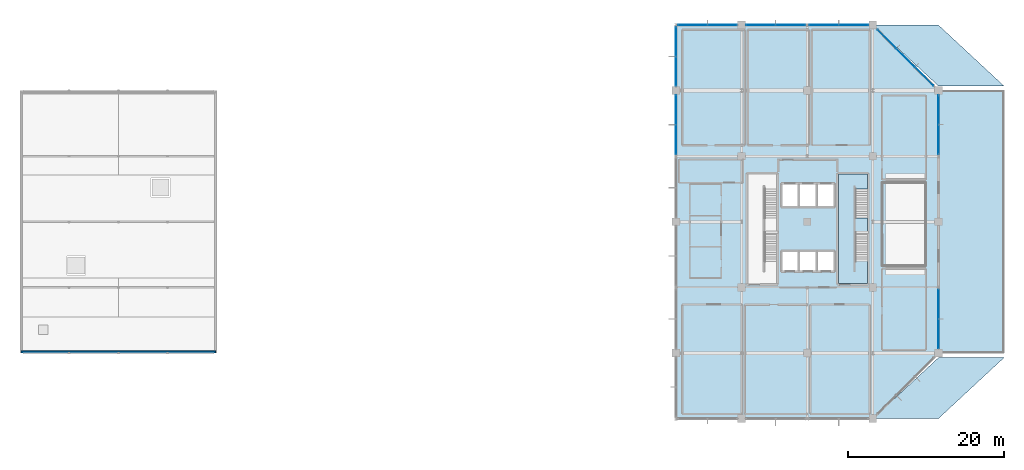
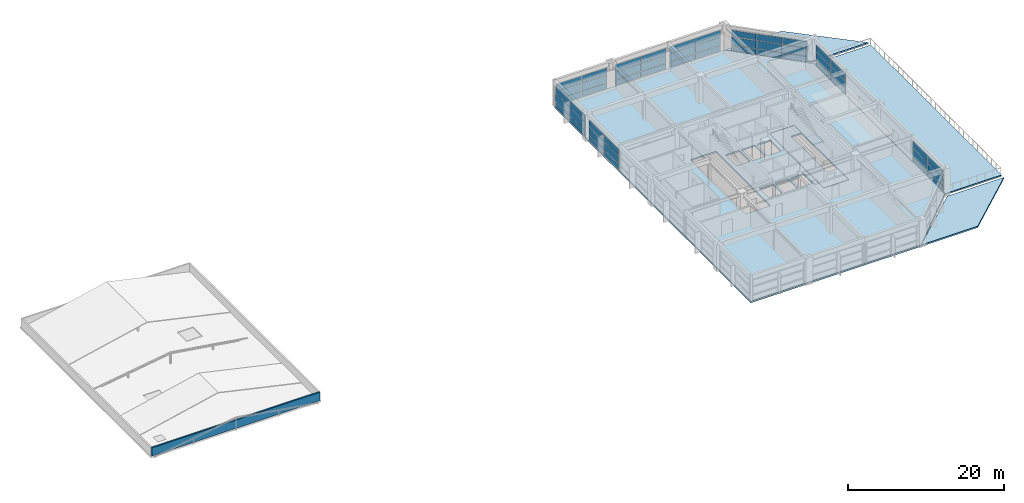
# One storey, part 15 of 21: 51 plates, 6 slabs, 1 wall, 9 elements without a shape of their own.
"""IFC4 building model written with IfcOpenShell, lengths in metres."""

from ifc_helpers import new_model, si_unit, direction, frame, frame_2d, origin, origin_2d, place, context, subcontext, project, spatial, polyline, rectangle, outline, extrude, material, layer, layer_set, type_object, element, aggregate, save


model = new_model("IFC4")

# Units and contexts
model_context = context("Model", 3, precision=1e-05, world=origin(), true_north=direction((0.0, 1.0)))
body_context = subcontext(model_context, "Body", "Model", "MODEL_VIEW")
ifc_project = project(units=[si_unit("LENGTHUNIT", "METRE"), si_unit("AREAUNIT", "SQUARE_METRE"), si_unit("VOLUMEUNIT", "CUBIC_METRE"), si_unit("PLANEANGLEUNIT", "RADIAN"), si_unit("MASSUNIT", "GRAM", prefix="KILO")], contexts=[model_context])

# Site, building, storey
site_placement = place(None, origin())
site = spatial("IfcSite", under=ifc_project, at=site_placement, CompositionType="ELEMENT")
building_placement = place(site_placement, origin())
building = spatial("IfcBuilding", under=site, at=building_placement, Name="Xuanlan Plaza Opera House", CompositionType="ELEMENT")
storey_placement = place(building_placement, frame((0.0, 0.0, 44.699951171875)))
storey = spatial("IfcBuildingStorey", under=building, at=storey_placement, Name="L10", CompositionType="ELEMENT", Elevation=44.699951171875)

# Curtain wall, plates
ifc_material_1 = material(Name="Anodised Aluminium 6063-T6 and Low-E Glass", Category="aluminium")
curtain_wall_type_1 = type_object("IfcCurtainWallType", Name="ENV-CW-CW-04", PredefinedType="USERDEFINED", material=ifc_material_1)
curtain_wall_1_placement = place(storey_placement, origin())
curtain_wall_1 = element("IfcCurtainWall", 1, at=curtain_wall_1_placement, inside=storey, type_object=curtain_wall_type_1, Name="Unitised Curtain Wall L10-008", ObjectType="UNITISED CURTAIN WALL", PredefinedType="USERDEFINED")
ifc_material_2 = material(Name="Laminated Acoustic Double Glazing", Category="glass")
ifc_layer_1 = layer(ifc_material_2, 0.028076171875)
ifc_layer_set_1 = layer_set([ifc_layer_1], Name="Laminated Acoustic Double Glazing")
plate_type_1 = type_object("IfcPlateType", Name="ENV-CWP-01", PredefinedType="CURTAIN_PANEL", material=ifc_layer_set_1)
plate_1_placement = place(storey_placement, frame((159.60009765625, 69.3388671875, 0.0751953125), z_axis=(0.0, 0.0, 1.0), x_axis=(0.0, 1.0, 0.0)))
plate_1 = element("IfcPlate", 2, at=plate_1_placement, type_object=plate_type_1, Name="CW-04 panel 1.1", PredefinedType="CURTAIN_PANEL", context=body_context, shape_type="SweptSolid", body=[
    extrude(rectangle(XDim=3.70751953125, YDim=0.028076171875, at=origin_2d()), origin(), (0.0, 0.0, 1.0), 0.83740234375),
])
plate_2_placement = place(storey_placement, frame((159.60009765625, 69.3388671875, 0.987548828125), z_axis=(0.0, 0.0, 1.0), x_axis=(0.0, 1.0, 0.0)))
plate_2 = element("IfcPlate", 3, at=plate_2_placement, type_object=plate_type_1, Name="CW-04 panel 1.2", PredefinedType="CURTAIN_PANEL", context=body_context, shape_type="SweptSolid", body=[
    extrude(rectangle(XDim=3.70751953125, YDim=0.028076171875, at=origin_2d()), origin(), (0.0, 0.0, 1.0), 1.22509765625),
])
plate_3_placement = place(storey_placement, frame((159.60009765625, 69.3388671875, 2.28759765625), z_axis=(0.0, 0.0, 1.0), x_axis=(0.0, 1.0, 0.0)))
plate_3 = element("IfcPlate", 4, at=plate_3_placement, type_object=plate_type_1, Name="CW-04 panel 1.3", PredefinedType="CURTAIN_PANEL", context=body_context, shape_type="SweptSolid", body=[
    extrude(rectangle(XDim=3.70751953125, YDim=0.028076171875, at=origin_2d()), origin(), (0.0, 0.0, 1.0), 1.017578125),
])
plate_4_placement = place(storey_placement, frame((159.60009765625, 73.13623046875, 0.0751953125), z_axis=(0.0, 0.0, 1.0), x_axis=(0.0, 1.0, 0.0)))
plate_4 = element("IfcPlate", 5, at=plate_4_placement, type_object=plate_type_1, Name="CW-04 panel 2.1", PredefinedType="CURTAIN_PANEL", context=body_context, shape_type="SweptSolid", body=[
    extrude(rectangle(XDim=3.70751953125, YDim=0.028076171875, at=origin_2d()), origin(), (0.0, 0.0, 1.0), 0.83740234375),
])
plate_5_placement = place(storey_placement, frame((159.60009765625, 73.13623046875, 0.987548828125), z_axis=(0.0, 0.0, 1.0), x_axis=(0.0, 1.0, 0.0)))
plate_5 = element("IfcPlate", 6, at=plate_5_placement, type_object=plate_type_1, Name="CW-04 panel 2.2", PredefinedType="CURTAIN_PANEL", context=body_context, shape_type="SweptSolid", body=[
    extrude(rectangle(XDim=3.70751953125, YDim=0.028076171875, at=origin_2d()), origin(), (0.0, 0.0, 1.0), 1.22509765625),
])
plate_6_placement = place(storey_placement, frame((159.60009765625, 73.13623046875, 2.28759765625), z_axis=(0.0, 0.0, 1.0), x_axis=(0.0, 1.0, 0.0)))
plate_6 = element("IfcPlate", 7, at=plate_6_placement, type_object=plate_type_1, Name="CW-04 panel 2.3", PredefinedType="CURTAIN_PANEL", context=body_context, shape_type="SweptSolid", body=[
    extrude(rectangle(XDim=3.70751953125, YDim=0.028076171875, at=origin_2d()), origin(), (0.0, 0.0, 1.0), 1.017578125),
])
aggregate(curtain_wall_1, [plate_1, plate_2, plate_3, plate_4, plate_5, plate_6])

curtain_wall_type_2 = type_object("IfcCurtainWallType", Name="ENV-CW-CW-01", PredefinedType="USERDEFINED", material=ifc_material_1)
curtain_wall_2_placement = place(storey_placement, origin())
curtain_wall_2 = element("IfcCurtainWall", 8, at=curtain_wall_2_placement, inside=storey, type_object=curtain_wall_type_2, Name="Unitised Curtain Wall L10-013", ObjectType="UNITISED CURTAIN WALL", PredefinedType="USERDEFINED")
plate_7_placement = place(storey_placement, frame((126.0, 81.861328125, 0.0751953125), z_axis=(0.0, 0.0, 1.0), x_axis=(0.0, -1.0, 0.0)))
plate_7 = element("IfcPlate", 9, at=plate_7_placement, type_object=plate_type_1, Name="CW-01 panel 1.1", PredefinedType="CURTAIN_PANEL", context=body_context, shape_type="SweptSolid", body=[
    extrude(rectangle(XDim=3.70751953125, YDim=0.028076171875, at=origin_2d()), origin(), (0.0, 0.0, 1.0), 0.83740234375),
])
plate_8_placement = place(storey_placement, frame((126.0, 81.861328125, 0.987548828125), z_axis=(0.0, 0.0, 1.0), x_axis=(0.0, -1.0, 0.0)))
plate_8 = element("IfcPlate", 10, at=plate_8_placement, type_object=plate_type_1, Name="CW-01 panel 1.2", PredefinedType="CURTAIN_PANEL", context=body_context, shape_type="SweptSolid", body=[
    extrude(rectangle(XDim=3.70751953125, YDim=0.028076171875, at=origin_2d()), origin(), (0.0, 0.0, 1.0), 1.22509765625),
])
plate_9_placement = place(storey_placement, frame((126.0, 81.861328125, 2.28759765625), z_axis=(0.0, 0.0, 1.0), x_axis=(0.0, -1.0, 0.0)))
plate_9 = element("IfcPlate", 11, at=plate_9_placement, type_object=plate_type_1, Name="CW-01 panel 1.3", PredefinedType="CURTAIN_PANEL", context=body_context, shape_type="SweptSolid", body=[
    extrude(rectangle(XDim=3.70751953125, YDim=0.028076171875, at=origin_2d()), origin(), (0.0, 0.0, 1.0), 1.017578125),
])
plate_10_placement = place(storey_placement, frame((126.0, 78.063720703125, 0.0751953125), z_axis=(0.0, 0.0, 1.0), x_axis=(0.0, -1.0, 0.0)))
plate_10 = element("IfcPlate", 12, at=plate_10_placement, type_object=plate_type_1, Name="CW-01 panel 2.1", PredefinedType="CURTAIN_PANEL", context=body_context, shape_type="SweptSolid", body=[
    extrude(rectangle(XDim=3.70751953125, YDim=0.028076171875, at=origin_2d()), origin(), (0.0, 0.0, 1.0), 0.83740234375),
])
plate_11_placement = place(storey_placement, frame((126.0, 78.063720703125, 0.987548828125), z_axis=(0.0, 0.0, 1.0), x_axis=(0.0, -1.0, 0.0)))
plate_11 = element("IfcPlate", 13, at=plate_11_placement, type_object=plate_type_1, Name="CW-01 panel 2.2", PredefinedType="CURTAIN_PANEL", context=body_context, shape_type="SweptSolid", body=[
    extrude(rectangle(XDim=3.70751953125, YDim=0.028076171875, at=origin_2d()), origin(), (0.0, 0.0, 1.0), 1.22509765625),
])
plate_12_placement = place(storey_placement, frame((126.0, 78.063720703125, 2.28759765625), z_axis=(0.0, 0.0, 1.0), x_axis=(0.0, -1.0, 0.0)))
plate_12 = element("IfcPlate", 14, at=plate_12_placement, type_object=plate_type_1, Name="CW-01 panel 2.3", PredefinedType="CURTAIN_PANEL", context=body_context, shape_type="SweptSolid", body=[
    extrude(rectangle(XDim=3.70751953125, YDim=0.028076171875, at=origin_2d()), origin(), (0.0, 0.0, 1.0), 1.017578125),
])
aggregate(curtain_wall_2, [plate_7, plate_8, plate_9, plate_10, plate_11, plate_12])

curtain_wall_3_placement = place(storey_placement, origin())
curtain_wall_3 = element("IfcCurtainWall", 15, at=curtain_wall_3_placement, inside=storey, type_object=curtain_wall_type_2, Name="Unitised Curtain Wall L10-005", ObjectType="UNITISED CURTAIN WALL", PredefinedType="USERDEFINED")
ifc_layer_2 = layer(ifc_material_2, 0.031982421875)
ifc_layer_set_2 = layer_set([ifc_layer_2], Name="Laminated Acoustic Double Glazing")
plate_type_2 = type_object("IfcPlateType", Name="ENV-CWP-02", PredefinedType="CURTAIN_PANEL", material=ifc_layer_set_2)
plate_13_placement = place(storey_placement, frame((159.60009765625, 44.458740234375, 0.06982421875), z_axis=(0.0, 0.0, 1.0), x_axis=(0.0, 1.0, 0.0)))
plate_13 = element("IfcPlate", 16, at=plate_13_placement, type_object=plate_type_2, Name="CW-01 panel 1.1", PredefinedType="CURTAIN_PANEL", context=body_context, shape_type="SweptSolid", body=[
    extrude(rectangle(XDim=3.737548828125, YDim=0.031982421875, at=origin_2d()), origin(), (0.0, 0.0, 1.0), 0.844970703125),
])
plate_14_placement = place(storey_placement, frame((159.60009765625, 44.458740234375, 0.985107421875), z_axis=(0.0, 0.0, 1.0), x_axis=(0.0, 1.0, 0.0)))
plate_14 = element("IfcPlate", 17, at=plate_14_placement, type_object=plate_type_2, Name="CW-01 panel 1.2", PredefinedType="CURTAIN_PANEL", context=body_context, shape_type="SweptSolid", body=[
    extrude(rectangle(XDim=3.737548828125, YDim=0.031982421875, at=origin_2d()), origin(), (0.0, 0.0, 1.0), 1.22998046875),
])
plate_15_placement = place(storey_placement, frame((159.60009765625, 44.458740234375, 2.28515625), z_axis=(0.0, 0.0, 1.0), x_axis=(0.0, 1.0, 0.0)))
plate_15 = element("IfcPlate", 18, at=plate_15_placement, type_object=plate_type_2, Name="CW-01 panel 1.3", PredefinedType="CURTAIN_PANEL", context=body_context, shape_type="SweptSolid", body=[
    extrude(rectangle(XDim=3.737548828125, YDim=0.031982421875, at=origin_2d()), origin(), (0.0, 0.0, 1.0), 1.02490234375),
])
plate_16_placement = place(storey_placement, frame((159.60009765625, 48.266357421875, 0.06982421875), z_axis=(0.0, 0.0, 1.0), x_axis=(0.0, 1.0, 0.0)))
plate_16 = element("IfcPlate", 19, at=plate_16_placement, type_object=plate_type_2, Name="CW-01 panel 2.1", PredefinedType="CURTAIN_PANEL", context=body_context, shape_type="SweptSolid", body=[
    extrude(rectangle(XDim=3.737548828125, YDim=0.031982421875, at=origin_2d()), origin(), (0.0, 0.0, 1.0), 0.844970703125),
])
plate_17_placement = place(storey_placement, frame((159.60009765625, 48.266357421875, 0.985107421875), z_axis=(0.0, 0.0, 1.0), x_axis=(0.0, 1.0, 0.0)))
plate_17 = element("IfcPlate", 20, at=plate_17_placement, type_object=plate_type_2, Name="CW-01 panel 2.2", PredefinedType="CURTAIN_PANEL", context=body_context, shape_type="SweptSolid", body=[
    extrude(rectangle(XDim=3.737548828125, YDim=0.031982421875, at=origin_2d()), origin(), (0.0, 0.0, 1.0), 1.22998046875),
])
plate_18_placement = place(storey_placement, frame((159.60009765625, 48.266357421875, 2.28515625), z_axis=(0.0, 0.0, 1.0), x_axis=(0.0, 1.0, 0.0)))
plate_18 = element("IfcPlate", 21, at=plate_18_placement, type_object=plate_type_2, Name="CW-01 panel 2.3", PredefinedType="CURTAIN_PANEL", context=body_context, shape_type="SweptSolid", body=[
    extrude(rectangle(XDim=3.737548828125, YDim=0.031982421875, at=origin_2d()), origin(), (0.0, 0.0, 1.0), 1.02490234375),
])
aggregate(curtain_wall_3, [plate_13, plate_14, plate_15, plate_16, plate_17, plate_18])

curtain_wall_type_3 = type_object("IfcCurtainWallType", Name="ENV-CW-CW-02", PredefinedType="USERDEFINED", material=ifc_material_1)
curtain_wall_4_placement = place(storey_placement, origin())
curtain_wall_4 = element("IfcCurtainWall", 22, at=curtain_wall_4_placement, inside=storey, type_object=curtain_wall_type_3, Name="Unitised Curtain Wall L10-010", ObjectType="UNITISED CURTAIN WALL", PredefinedType="USERDEFINED")
plate_19_placement = place(storey_placement, frame((148.7412109375, 84.0, 0.06982421875), z_axis=(0.0, 0.0, 1.0), x_axis=(-1.0, 0.0, 0.0)))
plate_19 = element("IfcPlate", 23, at=plate_19_placement, type_object=plate_type_2, Name="CW-02 panel 1.1", PredefinedType="CURTAIN_PANEL", context=body_context, shape_type="SweptSolid", body=[
    extrude(rectangle(XDim=3.737548828125, YDim=0.031982421875, at=origin_2d()), origin(), (0.0, 0.0, 1.0), 0.844970703125),
])
plate_20_placement = place(storey_placement, frame((148.7412109375, 84.0, 0.985107421875), z_axis=(0.0, 0.0, 1.0), x_axis=(-1.0, 0.0, 0.0)))
plate_20 = element("IfcPlate", 24, at=plate_20_placement, type_object=plate_type_2, Name="CW-02 panel 1.2", PredefinedType="CURTAIN_PANEL", context=body_context, shape_type="SweptSolid", body=[
    extrude(rectangle(XDim=3.737548828125, YDim=0.031982421875, at=origin_2d()), origin(), (0.0, 0.0, 1.0), 1.22998046875),
])
plate_21_placement = place(storey_placement, frame((148.7412109375, 84.0, 2.28515625), z_axis=(0.0, 0.0, 1.0), x_axis=(-1.0, 0.0, 0.0)))
plate_21 = element("IfcPlate", 25, at=plate_21_placement, type_object=plate_type_2, Name="CW-02 panel 1.3", PredefinedType="CURTAIN_PANEL", context=body_context, shape_type="SweptSolid", body=[
    extrude(rectangle(XDim=3.737548828125, YDim=0.031982421875, at=origin_2d()), origin(), (0.0, 0.0, 1.0), 1.02490234375),
])
plate_22_placement = place(storey_placement, frame((144.933837890625, 84.0, 0.06982421875), z_axis=(0.0, 0.0, 1.0), x_axis=(-1.0, 0.0, 0.0)))
plate_22 = element("IfcPlate", 26, at=plate_22_placement, type_object=plate_type_2, Name="CW-02 panel 2.1", PredefinedType="CURTAIN_PANEL", context=body_context, shape_type="SweptSolid", body=[
    extrude(rectangle(XDim=3.737548828125, YDim=0.031982421875, at=origin_2d()), origin(), (0.0, 0.0, 1.0), 0.844970703125),
])
plate_23_placement = place(storey_placement, frame((144.933837890625, 84.0, 0.985107421875), z_axis=(0.0, 0.0, 1.0), x_axis=(-1.0, 0.0, 0.0)))
plate_23 = element("IfcPlate", 27, at=plate_23_placement, type_object=plate_type_2, Name="CW-02 panel 2.2", PredefinedType="CURTAIN_PANEL", context=body_context, shape_type="SweptSolid", body=[
    extrude(rectangle(XDim=3.737548828125, YDim=0.031982421875, at=origin_2d()), origin(), (0.0, 0.0, 1.0), 1.22998046875),
])
plate_24_placement = place(storey_placement, frame((144.933837890625, 84.0, 2.28515625), z_axis=(0.0, 0.0, 1.0), x_axis=(-1.0, 0.0, 0.0)))
plate_24 = element("IfcPlate", 28, at=plate_24_placement, type_object=plate_type_2, Name="CW-02 panel 2.3", PredefinedType="CURTAIN_PANEL", context=body_context, shape_type="SweptSolid", body=[
    extrude(rectangle(XDim=3.737548828125, YDim=0.031982421875, at=origin_2d()), origin(), (0.0, 0.0, 1.0), 1.02490234375),
])
aggregate(curtain_wall_4, [plate_19, plate_20, plate_21, plate_22, plate_23, plate_24])

curtain_wall_5_placement = place(storey_placement, origin())
curtain_wall_5 = element("IfcCurtainWall", 29, at=curtain_wall_5_placement, inside=storey, type_object=curtain_wall_type_1, Name="Unitised Curtain Wall L10-012", ObjectType="UNITISED CURTAIN WALL", PredefinedType="USERDEFINED")
ifc_layer_3 = layer(ifc_material_2, 0.035888671875)
ifc_layer_set_3 = layer_set([ifc_layer_3], Name="Laminated Acoustic Double Glazing")
plate_type_3 = type_object("IfcPlateType", Name="ENV-CWP-03", PredefinedType="CURTAIN_PANEL", material=ifc_layer_set_3)
plate_25_placement = place(storey_placement, frame((131.938720703125, 84.0, 0.06494140625), z_axis=(0.0, 0.0, 1.0), x_axis=(-1.0, 0.0, 0.0)))
plate_25 = element("IfcPlate", 30, at=plate_25_placement, type_object=plate_type_3, Name="CW-04 panel 1.1", PredefinedType="CURTAIN_PANEL", context=body_context, shape_type="SweptSolid", body=[
    extrude(rectangle(XDim=3.722412109375, YDim=0.035888671875, at=origin_2d()), origin(), (0.0, 0.0, 1.0), 0.8525390625),
])
plate_26_placement = place(storey_placement, frame((131.938720703125, 84.0, 0.982421875), z_axis=(0.0, 0.0, 1.0), x_axis=(-1.0, 0.0, 0.0)))
plate_26 = element("IfcPlate", 31, at=plate_26_placement, type_object=plate_type_3, Name="CW-04 panel 1.2", PredefinedType="CURTAIN_PANEL", context=body_context, shape_type="SweptSolid", body=[
    extrude(rectangle(XDim=3.722412109375, YDim=0.035888671875, at=origin_2d()), origin(), (0.0, 0.0, 1.0), 1.235107421875),
])
plate_27_placement = place(storey_placement, frame((131.938720703125, 84.0, 2.28271484375), z_axis=(0.0, 0.0, 1.0), x_axis=(-1.0, 0.0, 0.0)))
plate_27 = element("IfcPlate", 32, at=plate_27_placement, type_object=plate_type_3, Name="CW-04 panel 1.3", PredefinedType="CURTAIN_PANEL", context=body_context, shape_type="SweptSolid", body=[
    extrude(rectangle(XDim=3.722412109375, YDim=0.035888671875, at=origin_2d()), origin(), (0.0, 0.0, 1.0), 1.032470703125),
])
plate_28_placement = place(storey_placement, frame((128.13623046875, 84.0, 0.06494140625), z_axis=(0.0, 0.0, 1.0), x_axis=(-1.0, 0.0, 0.0)))
plate_28 = element("IfcPlate", 33, at=plate_28_placement, type_object=plate_type_3, Name="CW-04 panel 2.1", PredefinedType="CURTAIN_PANEL", context=body_context, shape_type="SweptSolid", body=[
    extrude(rectangle(XDim=3.722412109375, YDim=0.035888671875, at=origin_2d()), origin(), (0.0, 0.0, 1.0), 0.8525390625),
])
plate_29_placement = place(storey_placement, frame((128.13623046875, 84.0, 0.982421875), z_axis=(0.0, 0.0, 1.0), x_axis=(-1.0, 0.0, 0.0)))
plate_29 = element("IfcPlate", 34, at=plate_29_placement, type_object=plate_type_3, Name="CW-04 panel 2.2", PredefinedType="CURTAIN_PANEL", context=body_context, shape_type="SweptSolid", body=[
    extrude(rectangle(XDim=3.722412109375, YDim=0.035888671875, at=origin_2d()), origin(), (0.0, 0.0, 1.0), 1.235107421875),
])
plate_30_placement = place(storey_placement, frame((128.13623046875, 84.0, 2.28271484375), z_axis=(0.0, 0.0, 1.0), x_axis=(-1.0, 0.0, 0.0)))
plate_30 = element("IfcPlate", 35, at=plate_30_placement, type_object=plate_type_3, Name="CW-04 panel 2.3", PredefinedType="CURTAIN_PANEL", context=body_context, shape_type="SweptSolid", body=[
    extrude(rectangle(XDim=3.722412109375, YDim=0.035888671875, at=origin_2d()), origin(), (0.0, 0.0, 1.0), 1.032470703125),
])
aggregate(curtain_wall_5, [plate_25, plate_26, plate_27, plate_28, plate_29, plate_30])

curtain_wall_6_placement = place(storey_placement, origin())
curtain_wall_6 = element("IfcCurtainWall", 36, at=curtain_wall_6_placement, inside=storey, type_object=curtain_wall_type_2, Name="Unitised Curtain Wall L10-009", ObjectType="UNITISED CURTAIN WALL", PredefinedType="USERDEFINED")
ifc_layer_4 = layer(ifc_material_2, 0.0400390625)
ifc_layer_set_4 = layer_set([ifc_layer_4], Name="Laminated Acoustic Double Glazing")
plate_type_4 = type_object("IfcPlateType", Name="ENV-CWP-04", PredefinedType="CURTAIN_PANEL", material=ifc_layer_set_4)
plate_31_placement = place(storey_placement, frame((157.7890625, 77.410888671875, 0.090087890625), z_axis=(0.0, 0.0, 1.0), x_axis=(-0.707106781187, 0.707106781187, 0.0)))
plate_31 = element("IfcPlate", 37, at=plate_31_placement, type_object=plate_type_4, Name="CW-01 panel 1.1", PredefinedType="CURTAIN_PANEL", context=body_context, shape_type="SweptSolid", body=[
    extrude(rectangle(XDim=3.297607421875, YDim=0.0400390625, at=origin_2d()), origin(), (0.0, 0.0, 1.0), 0.81494140625),
])
plate_32_placement = place(storey_placement, frame((157.7890625, 77.410888671875, 0.9951171875), z_axis=(0.0, 0.0, 1.0), x_axis=(-0.707106781187, 0.707106781187, 0.0)))
plate_32 = element("IfcPlate", 38, at=plate_32_placement, type_object=plate_type_4, Name="CW-01 panel 1.2", PredefinedType="CURTAIN_PANEL", context=body_context, shape_type="SweptSolid", body=[
    extrude(rectangle(XDim=3.297607421875, YDim=0.0400390625, at=origin_2d()), origin(), (0.0, 0.0, 1.0), 1.2099609375),
])
plate_33_placement = place(storey_placement, frame((157.7890625, 77.410888671875, 2.294921875), z_axis=(0.0, 0.0, 1.0), x_axis=(-0.707106781187, 0.707106781187, 0.0)))
plate_33 = element("IfcPlate", 39, at=plate_33_placement, type_object=plate_type_4, Name="CW-01 panel 1.3", PredefinedType="CURTAIN_PANEL", context=body_context, shape_type="SweptSolid", body=[
    extrude(rectangle(XDim=3.297607421875, YDim=0.0400390625, at=origin_2d()), origin(), (0.0, 0.0, 1.0), 0.9951171875),
])
plate_34_placement = place(storey_placement, frame((155.39990234375, 79.800048828125, 0.090087890625), z_axis=(0.0, 0.0, 1.0), x_axis=(-0.707106781187, 0.707106781187, 0.0)))
plate_34 = element("IfcPlate", 40, at=plate_34_placement, type_object=plate_type_4, Name="CW-01 panel 2.1", PredefinedType="CURTAIN_PANEL", context=body_context, shape_type="SweptSolid", body=[
    extrude(rectangle(XDim=3.330078125, YDim=0.0400390625, at=origin_2d()), origin(), (0.0, 0.0, 1.0), 0.81494140625),
])
plate_35_placement = place(storey_placement, frame((155.39990234375, 79.800048828125, 0.9951171875), z_axis=(0.0, 0.0, 1.0), x_axis=(-0.707106781187, 0.707106781187, 0.0)))
plate_35 = element("IfcPlate", 41, at=plate_35_placement, type_object=plate_type_4, Name="CW-01 panel 2.2", PredefinedType="CURTAIN_PANEL", context=body_context, shape_type="SweptSolid", body=[
    extrude(rectangle(XDim=3.330078125, YDim=0.0400390625, at=origin_2d()), origin(), (0.0, 0.0, 1.0), 1.2099609375),
])
plate_36_placement = place(storey_placement, frame((155.39990234375, 79.800048828125, 2.294921875), z_axis=(0.0, 0.0, 1.0), x_axis=(-0.707106781187, 0.707106781187, 0.0)))
plate_36 = element("IfcPlate", 42, at=plate_36_placement, type_object=plate_type_4, Name="CW-01 panel 2.3", PredefinedType="CURTAIN_PANEL", context=body_context, shape_type="SweptSolid", body=[
    extrude(rectangle(XDim=3.330078125, YDim=0.0400390625, at=origin_2d()), origin(), (0.0, 0.0, 1.0), 0.9951171875),
])
plate_37_placement = place(storey_placement, frame((153.0107421875, 82.189208984375, 0.090087890625), z_axis=(0.0, 0.0, 1.0), x_axis=(-0.707106781187, 0.707106781187, 0.0)))
plate_37 = element("IfcPlate", 43, at=plate_37_placement, type_object=plate_type_4, Name="CW-01 panel 3.1", PredefinedType="CURTAIN_PANEL", context=body_context, shape_type="SweptSolid", body=[
    extrude(rectangle(XDim=3.297607421875, YDim=0.0400390625, at=origin_2d()), origin(), (0.0, 0.0, 1.0), 0.81494140625),
])
plate_38_placement = place(storey_placement, frame((153.0107421875, 82.189208984375, 0.9951171875), z_axis=(0.0, 0.0, 1.0), x_axis=(-0.707106781187, 0.707106781187, 0.0)))
plate_38 = element("IfcPlate", 44, at=plate_38_placement, type_object=plate_type_4, Name="CW-01 panel 3.2", PredefinedType="CURTAIN_PANEL", context=body_context, shape_type="SweptSolid", body=[
    extrude(rectangle(XDim=3.297607421875, YDim=0.0400390625, at=origin_2d()), origin(), (0.0, 0.0, 1.0), 1.2099609375),
])
plate_39_placement = place(storey_placement, frame((153.0107421875, 82.189208984375, 2.294921875), z_axis=(0.0, 0.0, 1.0), x_axis=(-0.707106781187, 0.707106781187, 0.0)))
plate_39 = element("IfcPlate", 45, at=plate_39_placement, type_object=plate_type_4, Name="CW-01 panel 3.3", PredefinedType="CURTAIN_PANEL", context=body_context, shape_type="SweptSolid", body=[
    extrude(rectangle(XDim=3.297607421875, YDim=0.0400390625, at=origin_2d()), origin(), (0.0, 0.0, 1.0), 0.9951171875),
])
aggregate(curtain_wall_6, [plate_31, plate_32, plate_33, plate_34, plate_35, plate_36, plate_37, plate_38, plate_39])

curtain_wall_7_placement = place(storey_placement, origin())
curtain_wall_7 = element("IfcCurtainWall", 46, at=curtain_wall_7_placement, inside=storey, type_object=curtain_wall_type_3, Name="Unitised Curtain Wall L10-014", ObjectType="UNITISED CURTAIN WALL", PredefinedType="USERDEFINED")
plate_40_placement = place(storey_placement, frame((126.0, 73.142578125, 0.090087890625), z_axis=(0.0, 0.0, 1.0), x_axis=(0.0, -1.0, 0.0)))
plate_40 = element("IfcPlate", 47, at=plate_40_placement, type_object=plate_type_4, Name="CW-02 panel 1.1", PredefinedType="CURTAIN_PANEL", context=body_context, shape_type="SweptSolid", body=[
    extrude(rectangle(XDim=3.7451171875, YDim=0.0400390625, at=origin_2d()), origin(), (0.0, 0.0, 1.0), 0.81494140625),
])
plate_41_placement = place(storey_placement, frame((126.0, 73.142578125, 0.9951171875), z_axis=(0.0, 0.0, 1.0), x_axis=(0.0, -1.0, 0.0)))
plate_41 = element("IfcPlate", 48, at=plate_41_placement, type_object=plate_type_4, Name="CW-02 panel 1.2", PredefinedType="CURTAIN_PANEL", context=body_context, shape_type="SweptSolid", body=[
    extrude(rectangle(XDim=3.7451171875, YDim=0.0400390625, at=origin_2d()), origin(), (0.0, 0.0, 1.0), 1.2099609375),
])
plate_42_placement = place(storey_placement, frame((126.0, 73.142578125, 2.294921875), z_axis=(0.0, 0.0, 1.0), x_axis=(0.0, -1.0, 0.0)))
plate_42 = element("IfcPlate", 49, at=plate_42_placement, type_object=plate_type_4, Name="CW-02 panel 1.3", PredefinedType="CURTAIN_PANEL", context=body_context, shape_type="SweptSolid", body=[
    extrude(rectangle(XDim=3.7451171875, YDim=0.0400390625, at=origin_2d()), origin(), (0.0, 0.0, 1.0), 0.9951171875),
])
plate_43_placement = place(storey_placement, frame((126.0, 69.33251953125, 0.090087890625), z_axis=(0.0, 0.0, 1.0), x_axis=(0.0, -1.0, 0.0)))
plate_43 = element("IfcPlate", 50, at=plate_43_placement, type_object=plate_type_4, Name="CW-02 panel 2.1", PredefinedType="CURTAIN_PANEL", context=body_context, shape_type="SweptSolid", body=[
    extrude(rectangle(XDim=3.7451171875, YDim=0.0400390625, at=origin_2d()), origin(), (0.0, 0.0, 1.0), 0.81494140625),
])
plate_44_placement = place(storey_placement, frame((126.0, 69.33251953125, 0.9951171875), z_axis=(0.0, 0.0, 1.0), x_axis=(0.0, -1.0, 0.0)))
plate_44 = element("IfcPlate", 51, at=plate_44_placement, type_object=plate_type_4, Name="CW-02 panel 2.2", PredefinedType="CURTAIN_PANEL", context=body_context, shape_type="SweptSolid", body=[
    extrude(rectangle(XDim=3.7451171875, YDim=0.0400390625, at=origin_2d()), origin(), (0.0, 0.0, 1.0), 1.2099609375),
])
plate_45_placement = place(storey_placement, frame((126.0, 69.33251953125, 2.294921875), z_axis=(0.0, 0.0, 1.0), x_axis=(0.0, -1.0, 0.0)))
plate_45 = element("IfcPlate", 52, at=plate_45_placement, type_object=plate_type_4, Name="CW-02 panel 2.3", PredefinedType="CURTAIN_PANEL", context=body_context, shape_type="SweptSolid", body=[
    extrude(rectangle(XDim=3.7451171875, YDim=0.0400390625, at=origin_2d()), origin(), (0.0, 0.0, 1.0), 0.9951171875),
])
aggregate(curtain_wall_7, [plate_40, plate_41, plate_42, plate_43, plate_44, plate_45])

curtain_wall_type_4 = type_object("IfcCurtainWallType", Name="ENV-CW-CW-03", PredefinedType="USERDEFINED", material=ifc_material_1)
curtain_wall_8_placement = place(storey_placement, origin())
curtain_wall_8 = element("IfcCurtainWall", 53, at=curtain_wall_8_placement, inside=storey, type_object=curtain_wall_type_4, Name="Unitised Curtain Wall L10-011", ObjectType="UNITISED CURTAIN WALL", PredefinedType="USERDEFINED")
ifc_layer_5 = layer(ifc_material_2, 0.0439453125)
ifc_layer_set_5 = layer_set([ifc_layer_5], Name="Laminated Acoustic Double Glazing")
plate_type_5 = type_object("IfcPlateType", Name="ENV-CWP-05", PredefinedType="CURTAIN_PANEL", material=ifc_layer_set_5)
plate_46_placement = place(storey_placement, frame((140.6650390625, 84.0, 0.080078125), z_axis=(0.0, 0.0, 1.0), x_axis=(-1.0, 0.0, 0.0)))
plate_46 = element("IfcPlate", 54, at=plate_46_placement, type_object=plate_type_5, Name="CW-03 panel 1.1", PredefinedType="CURTAIN_PANEL", context=body_context, shape_type="SweptSolid", body=[
    extrude(rectangle(XDim=3.72998046875, YDim=0.0439453125, at=origin_2d()), origin(), (0.0, 0.0, 1.0), 0.830078125),
])
plate_47_placement = place(storey_placement, frame((140.6650390625, 84.0, 0.990234375), z_axis=(0.0, 0.0, 1.0), x_axis=(-1.0, 0.0, 0.0)))
plate_47 = element("IfcPlate", 55, at=plate_47_placement, type_object=plate_type_5, Name="CW-03 panel 1.2", PredefinedType="CURTAIN_PANEL", context=body_context, shape_type="SweptSolid", body=[
    extrude(rectangle(XDim=3.72998046875, YDim=0.0439453125, at=origin_2d()), origin(), (0.0, 0.0, 1.0), 1.219970703125),
])
plate_48_placement = place(storey_placement, frame((140.6650390625, 84.0, 2.2900390625), z_axis=(0.0, 0.0, 1.0), x_axis=(-1.0, 0.0, 0.0)))
plate_48 = element("IfcPlate", 56, at=plate_48_placement, type_object=plate_type_5, Name="CW-03 panel 1.3", PredefinedType="CURTAIN_PANEL", context=body_context, shape_type="SweptSolid", body=[
    extrude(rectangle(XDim=3.72998046875, YDim=0.0439453125, at=origin_2d()), origin(), (0.0, 0.0, 1.0), 1.010009765625),
])
plate_49_placement = place(storey_placement, frame((136.860107421875, 84.0, 0.080078125), z_axis=(0.0, 0.0, 1.0), x_axis=(-1.0, 0.0, 0.0)))
plate_49 = element("IfcPlate", 57, at=plate_49_placement, type_object=plate_type_5, Name="CW-03 panel 2.1", PredefinedType="CURTAIN_PANEL", context=body_context, shape_type="SweptSolid", body=[
    extrude(rectangle(XDim=3.72998046875, YDim=0.0439453125, at=origin_2d()), origin(), (0.0, 0.0, 1.0), 0.830078125),
])
plate_50_placement = place(storey_placement, frame((136.860107421875, 84.0, 0.990234375), z_axis=(0.0, 0.0, 1.0), x_axis=(-1.0, 0.0, 0.0)))
plate_50 = element("IfcPlate", 58, at=plate_50_placement, type_object=plate_type_5, Name="CW-03 panel 2.2", PredefinedType="CURTAIN_PANEL", context=body_context, shape_type="SweptSolid", body=[
    extrude(rectangle(XDim=3.72998046875, YDim=0.0439453125, at=origin_2d()), origin(), (0.0, 0.0, 1.0), 1.219970703125),
])
plate_51_placement = place(storey_placement, frame((136.860107421875, 84.0, 2.2900390625), z_axis=(0.0, 0.0, 1.0), x_axis=(-1.0, 0.0, 0.0)))
plate_51 = element("IfcPlate", 59, at=plate_51_placement, type_object=plate_type_5, Name="CW-03 panel 2.3", PredefinedType="CURTAIN_PANEL", context=body_context, shape_type="SweptSolid", body=[
    extrude(rectangle(XDim=3.72998046875, YDim=0.0439453125, at=origin_2d()), origin(), (0.0, 0.0, 1.0), 1.010009765625),
])
aggregate(curtain_wall_8, [plate_46, plate_47, plate_48, plate_49, plate_50, plate_51])

# Stair, slabs
ifc_material_3 = material(Name="Concrete C40", Category="concrete")
stair_type = type_object("IfcStairType", Name="INT-ST-STR-T155", PredefinedType="STRAIGHT_RUN_STAIR", material=ifc_material_3)
stair_placement = place(storey_placement, origin())
stair = element("IfcStair", 60, at=stair_placement, inside=storey, type_object=stair_type, Name="Protected Exit Stair ST-T2 L10", PredefinedType="STRAIGHT_RUN_STAIR")
ifc_layer_6 = layer(ifc_material_3, 0.199951171875)
ifc_layer_set_6 = layer_set([ifc_layer_6], Name="Concrete C40")
slab_type_1 = type_object("IfcSlabType", Name="INT-SLB-LND-20", PredefinedType="LANDING", material=ifc_layer_set_6)
slab_1_placement = place(storey_placement, frame((0.0, 0.0, 1.900146484375)))
slab_1 = element("IfcSlab", 61, at=slab_1_placement, type_object=slab_type_1, Name="ST-T2-L10 landing 1", PredefinedType="LANDING", context=body_context, shape_type="SweptSolid", body=[
    extrude(outline(polyline([(148.949951171875, 57.419921875), (150.5, 57.419921875), (150.5, 59.320068359375), (148.949951171875, 59.320068359375), (148.949951171875, 57.419921875)])), origin(), (0.0, 0.0, 1.0), 0.199951171875),
])
slab_2_placement = place(storey_placement, frame((0.0, 0.0, -0.199951171875)))
slab_2 = element("IfcSlab", 62, at=slab_2_placement, type_object=slab_type_1, Name="ST-T2-L10 landing 2", PredefinedType="LANDING", context=body_context, shape_type="SweptSolid", body=[
    extrude(outline(polyline([(146.800048828125, 50.89990234375), (150.5, 50.89990234375), (150.5, 53.764892578125), (148.949951171875, 53.764892578125), (148.949951171875, 62.97509765625), (150.5, 62.97509765625), (150.5, 64.89990234375), (146.800048828125, 64.89990234375), (146.800048828125, 50.89990234375)])), origin(), (0.0, 0.0, 1.0), 0.199951171875),
])
aggregate(stair, [slab_1, slab_2])

# Slabs
ifc_layer_7 = layer(ifc_material_3, 0.22998046875)
ifc_layer_set_7 = layer_set([ifc_layer_7], Name="Concrete C40")
slab_type_2 = type_object("IfcSlabType", Name="STR-SLB-RF-03", PredefinedType="ROOF", material=ifc_layer_set_7)
slab_3_placement = place(storey_placement, frame((0.0, 0.0, -0.22998046875)))
element("IfcSlab", 63, at=slab_3_placement, inside=storey, type_object=slab_type_2, Name="Tower L10 South-East Chamfer Setback Roof Slab", PredefinedType="ROOF", context=body_context, shape_type="SweptSolid", body=[
    extrude(outline(polyline([(151.199951171875, 33.60009765625), (159.60009765625, 33.60009765625), (168.0, 41.39990234375), (159.60009765625, 41.39990234375), (151.199951171875, 33.60009765625)])), origin(), (0.0, 0.0, 1.0), 0.22998046875),
])
slab_4_placement = place(storey_placement, frame((0.0, 0.0, -0.22998046875)))
element("IfcSlab", 64, at=slab_4_placement, inside=storey, type_object=slab_type_2, Name="Tower L10 North-East Chamfer Setback Roof Slab", PredefinedType="ROOF", context=body_context, shape_type="SweptSolid", body=[
    extrude(outline(polyline([(159.60009765625, 76.199951171875), (168.0, 76.199951171875), (159.60009765625, 84.0), (151.199951171875, 84.0), (159.60009765625, 76.199951171875)])), origin(), (0.0, 0.0, 1.0), 0.22998046875),
])
ifc_layer_8 = layer(ifc_material_3, 0.239990234375)
ifc_layer_set_8 = layer_set([ifc_layer_8], Name="Concrete C40")
slab_type_3 = type_object("IfcSlabType", Name="STR-SLB-SL-03", PredefinedType="FLOOR", material=ifc_layer_set_8)
slab_5_placement = place(storey_placement, frame((0.0, 0.0, -0.239990234375)))
element("IfcSlab", 65, at=slab_5_placement, inside=storey, type_object=slab_type_3, Name="Storey L10 Structural Floor Slab", PredefinedType="FLOOR", context=body_context, shape_type="SweptSolid", body=[
    extrude(outline(polyline([(126.0, 33.60009765625), (151.199951171875, 33.60009765625), (159.60009765625, 42.0), (159.60009765625, 75.60009765625), (151.199951171875, 84.0), (126.0, 84.0), (126.0, 33.60009765625)]), holes=[polyline([(135.199951171875, 50.89990234375), (138.89990234375, 50.89990234375), (138.89990234375, 64.89990234375), (135.199951171875, 64.89990234375), (135.199951171875, 50.89990234375)]), polyline([(146.800048828125, 50.89990234375), (150.5, 50.89990234375), (150.5, 64.89990234375), (146.800048828125, 64.89990234375), (146.800048828125, 50.89990234375)]), polyline([(139.60009765625, 60.800048828125), (141.60009765625, 60.800048828125), (141.60009765625, 63.60009765625), (139.60009765625, 63.60009765625), (139.60009765625, 60.800048828125)]), polyline([(141.89990234375, 60.800048828125), (143.89990234375, 60.800048828125), (143.89990234375, 63.60009765625), (141.89990234375, 63.60009765625), (141.89990234375, 60.800048828125)]), polyline([(144.199951171875, 60.800048828125), (146.199951171875, 60.800048828125), (146.199951171875, 63.60009765625), (144.199951171875, 63.60009765625), (144.199951171875, 60.800048828125)]), polyline([(139.60009765625, 52.550048828125), (141.60009765625, 52.550048828125), (141.60009765625, 54.949951171875), (139.60009765625, 54.949951171875), (139.60009765625, 52.550048828125)]), polyline([(141.89990234375, 52.550048828125), (143.89990234375, 52.550048828125), (143.89990234375, 54.949951171875), (141.89990234375, 54.949951171875), (141.89990234375, 52.550048828125)]), polyline([(144.199951171875, 52.550048828125), (146.199951171875, 52.550048828125), (146.199951171875, 54.949951171875), (144.199951171875, 54.949951171875), (144.199951171875, 52.550048828125)])]), origin(), (0.0, 0.0, 1.0), 0.239990234375),
])
ifc_layer_9 = layer(ifc_material_3, 0.219970703125)
ifc_layer_set_9 = layer_set([ifc_layer_9], Name="Concrete C40")
slab_type_4 = type_object("IfcSlabType", Name="STR-SLB-SL-TR1", PredefinedType="FLOOR", material=ifc_layer_set_9)
slab_6_placement = place(storey_placement, frame((0.0, 0.0, -0.219970703125)))
element("IfcSlab", 66, at=slab_6_placement, inside=storey, type_object=slab_type_4, Name="Tower East Sky Terrace", PredefinedType="FLOOR", context=body_context, shape_type="SweptSolid", body=[
    extrude(outline(polyline([(159.60009765625, 42.0), (168.0, 42.0), (168.0, 75.60009765625), (159.60009765625, 75.60009765625), (159.60009765625, 42.0)])), origin(), (0.0, 0.0, 1.0), 0.219970703125),
])

# Wall
ifc_layer_10 = layer(ifc_material_3, 0.22998046875)
ifc_layer_set_10 = layer_set([ifc_layer_10], Name="Concrete C40")
wall_type = type_object("IfcWallType", Name="ENV-WL-PRP-02", PredefinedType="PARAPET", material=ifc_layer_set_10)
wall_placement = place(storey_placement, frame((42.14990234375, 42.14990234375, 0.0), z_axis=(0.0, 0.0, 1.0), x_axis=(1.0, 0.0, 0.0)))
element("IfcWall", 67, at=wall_placement, inside=storey, type_object=wall_type, Name="Roof Parapet Wall FLY-01", PredefinedType="PARAPET", context=body_context, shape_type="SweptSolid", body=[
    extrude(rectangle(XDim=24.900146484375, YDim=0.22998046875, at=frame_2d((12.4501953125, 0.0))), origin(), (0.0, 0.0, 1.0), 1.300048828125),
])

save(model, "model.ifc")
